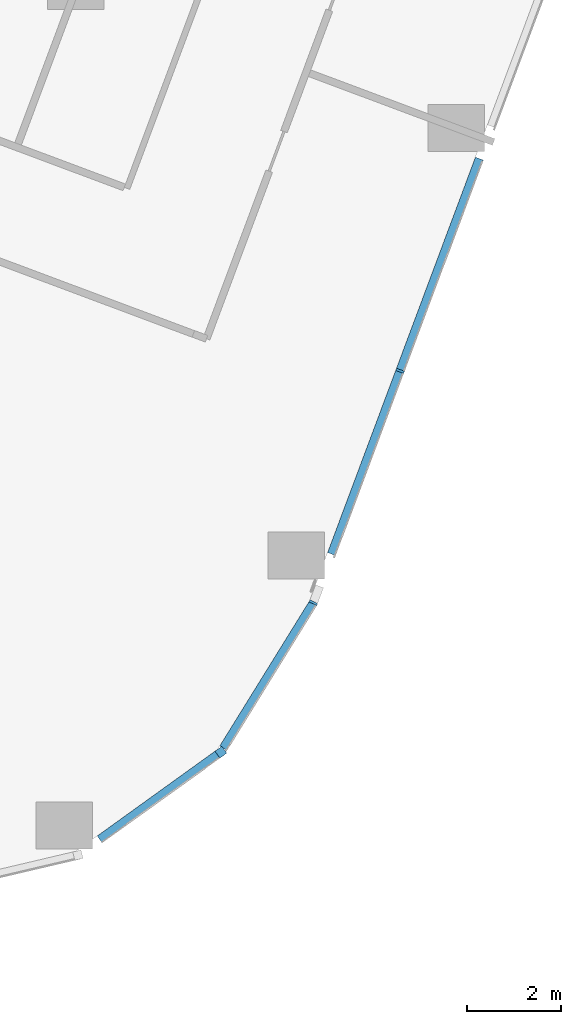
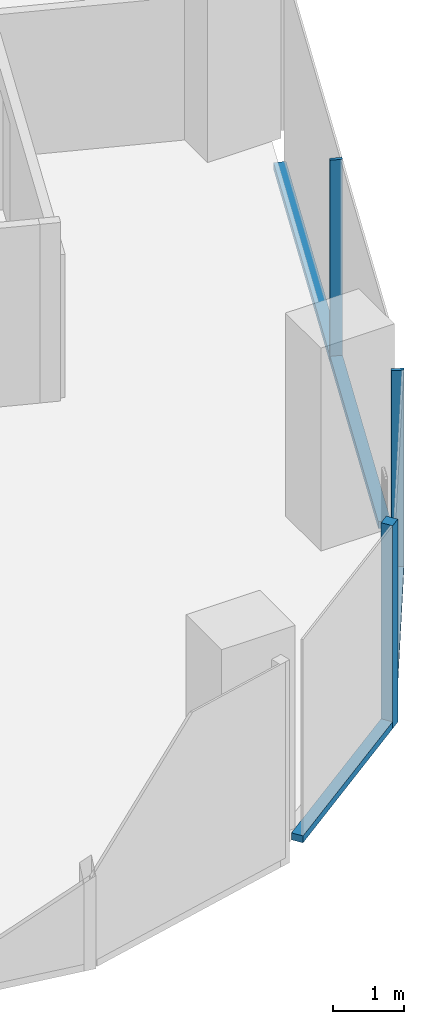
# One storey, part 9 of 31: 6 members, 3 elements without a shape of their own.
"""IFC4 building model written with IfcOpenShell, lengths in metres."""

from ifc_helpers import new_model, si_unit, direction, frame, origin, origin_2d, place, context, subcontext, project, spatial, rectangle, extrude, material, material_profile, profile_set, type_object, element, aggregate, save


model = new_model("IFC4")

# Units and contexts
model_context = context("Model", 3, precision=1e-05, world=origin(), true_north=direction((0.0, 1.0)))
body_context = subcontext(model_context, "Body", "Model", "MODEL_VIEW")
ifc_project = project(units=[si_unit("LENGTHUNIT", "METRE"), si_unit("AREAUNIT", "SQUARE_METRE"), si_unit("VOLUMEUNIT", "CUBIC_METRE"), si_unit("PLANEANGLEUNIT", "RADIAN"), si_unit("MASSUNIT", "GRAM", prefix="KILO")], contexts=[model_context])

# Site, building, storey
site_placement = place(None, origin())
site = spatial("IfcSite", under=ifc_project, at=site_placement, CompositionType="ELEMENT")
building_placement = place(site_placement, origin())
building = spatial("IfcBuilding", under=site, at=building_placement, Name="Orlundy Tower", CompositionType="ELEMENT")
storey_placement = place(building_placement, frame((0.0, 0.0, 91.199951171875)))
storey = spatial("IfcBuildingStorey", under=building, at=storey_placement, Name="L22", CompositionType="ELEMENT", Elevation=91.199951171875)

# Curtain wall, member
ifc_material_1 = material(Name="Aluminium bronze anodised", Category="aluminium")
curtain_wall_type = type_object("IfcCurtainWallType", Name="CW1 wall", PredefinedType="NOTDEFINED", material=ifc_material_1)
curtain_wall_1_placement = place(storey_placement, origin())
curtain_wall_1 = element("IfcCurtainWall", 1, at=curtain_wall_1_placement, inside=storey, type_object=curtain_wall_type, Name="CW1 run 013", PredefinedType="NOTDEFINED")
ifc_material_2 = material(Name="Aluminium bronze anodised", Category="aluminium")
ifc_material_profile_1 = material_profile(ifc_material_2, rectangle(XDim=0.179931640625, YDim=0.179931640625, at=origin_2d()), Name="CW1 corner post 180x180")
ifc_profile_set_1 = profile_set([ifc_material_profile_1], Name="Aluminium bronze anodised")
member_type_1 = type_object("IfcMemberType", Name="CW1 corner post 180x180", PredefinedType="MULLION", material=ifc_profile_set_1)
member_1_placement = place(storey_placement, frame((50.171142578125, -33.886474609375, -0.39990234375), z_axis=(0.0, 0.0, 1.0), x_axis=(0.584347367051, -0.811503638082, 0.0)))
member_1 = element("IfcMember", 2, at=member_1_placement, type_object=member_type_1, Name="CW1 mullion 41", PredefinedType="MULLION", context=body_context, shape_type="SweptSolid", body=[
    extrude(rectangle(XDim=0.179931640625, YDim=0.179931640625, at=origin_2d()), origin(), (0.0, 0.0, 1.0), 3.5),
])

curtain_wall_2_placement = place(storey_placement, origin())
curtain_wall_2 = element("IfcCurtainWall", 3, at=curtain_wall_2_placement, inside=storey, type_object=curtain_wall_type, Name="CW1 run 011", PredefinedType="NOTDEFINED")
ifc_material_3 = material(Name="Aluminium bronze anodised", Category="aluminium")
ifc_material_profile_2 = material_profile(ifc_material_3, rectangle(XDim=0.179931640625, YDim=0.050048828125, at=origin_2d()), Name="CW1 mullion 50x180")
ifc_profile_set_2 = profile_set([ifc_material_profile_2], Name="Aluminium bronze anodised")
member_type_2 = type_object("IfcMemberType", Name="CW1 mullion 50x180", PredefinedType="MULLION", material=ifc_profile_set_2)
member_2_placement = place(storey_placement, frame((53.977783203125, -25.7861328125, -0.39990234375), z_axis=(0.0, 0.0, 1.0), x_axis=(0.936677057252, -0.350194360916, 0.0)))
member_2 = element("IfcMember", 4, at=member_2_placement, type_object=member_type_2, Name="CW1 mullion 39", PredefinedType="MULLION", context=body_context, shape_type="SweptSolid", body=[
    extrude(rectangle(XDim=0.179931640625, YDim=0.050048828125, at=origin_2d()), origin(), (0.0, 0.0, 1.0), 3.5),
])

curtain_wall_3_placement = place(storey_placement, origin())
curtain_wall_3 = element("IfcCurtainWall", 5, at=curtain_wall_3_placement, inside=storey, type_object=curtain_wall_type, Name="CW1 run 012", PredefinedType="NOTDEFINED")
member_3_placement = place(storey_placement, frame((52.13623046875, -30.7119140625, -0.39990234375), z_axis=(0.0, 0.0, 1.0), x_axis=(0.897814185367, -0.44037448672, 0.0)))
member_3 = element("IfcMember", 6, at=member_3_placement, type_object=member_type_2, Name="CW1 mullion 40", PredefinedType="MULLION", context=body_context, shape_type="SweptSolid", body=[
    extrude(rectangle(XDim=0.179931640625, YDim=0.050048828125, at=origin_2d()), origin(), (0.0, 0.0, 1.0), 3.5),
])

# Member
ifc_material_4 = material(Name="Aluminium bronze anodised", Category="aluminium")
ifc_material_profile_3 = material_profile(ifc_material_4, rectangle(XDim=0.179931640625, YDim=0.1201171875, at=origin_2d()), Name="CW1 transom 180x120")
ifc_profile_set_3 = profile_set([ifc_material_profile_3], Name="Aluminium bronze anodised")
member_type_3 = type_object("IfcMemberType", Name="CW1 transom 180x120", PredefinedType="USERDEFINED", material=ifc_profile_set_3)
member_4_placement = place(storey_placement, frame((55.66357421875, -21.277099609375, -0.33984375), z_axis=(-0.350201406125, -0.936674423238, 0.0), x_axis=(0.936674423238, -0.350201406125, 0.0)))
member_4 = element("IfcMember", 7, at=member_4_placement, type_object=member_type_3, Name="CW1 transom", ObjectType="TRANSOM", PredefinedType="USERDEFINED", context=body_context, shape_type="SweptSolid", body=[
    extrude(rectangle(XDim=0.179931640625, YDim=0.1201171875, at=origin_2d()), origin(), (0.0, 0.0, 1.0), 8.968017578125),
])

aggregate(curtain_wall_2, [member_2, member_4])

member_5_placement = place(storey_placement, frame((52.123046875, -30.733154296875, -0.33984375), z_axis=(-0.526317375067, -0.850288198614, 0.0), x_axis=(0.850288198614, -0.526317375067, 0.0)))
member_5 = element("IfcMember", 8, at=member_5_placement, type_object=member_type_3, Name="CW1 transom", ObjectType="TRANSOM", PredefinedType="USERDEFINED", context=body_context, shape_type="SweptSolid", body=[
    extrude(rectangle(XDim=0.179931640625, YDim=0.1201171875, at=origin_2d()), origin(), (0.0, 0.0, 1.0), 3.611083984375),
])

aggregate(curtain_wall_3, [member_3, member_5])

member_6_placement = place(storey_placement, frame((50.09814453125, -33.939208984375, -0.33984375), z_axis=(-0.811511804661, -0.58433602567, 0.0), x_axis=(0.58433602567, -0.811511804661, 0.0)))
member_6 = element("IfcMember", 9, at=member_6_placement, type_object=member_type_3, Name="CW1 transom", ObjectType="TRANSOM", PredefinedType="USERDEFINED", context=body_context, shape_type="SweptSolid", body=[
    extrude(rectangle(XDim=0.179931640625, YDim=0.1201171875, at=origin_2d()), origin(), (0.0, 0.0, 1.0), 3.082275390625),
])

aggregate(curtain_wall_1, [member_1, member_6])

save(model, "model.ifc")
